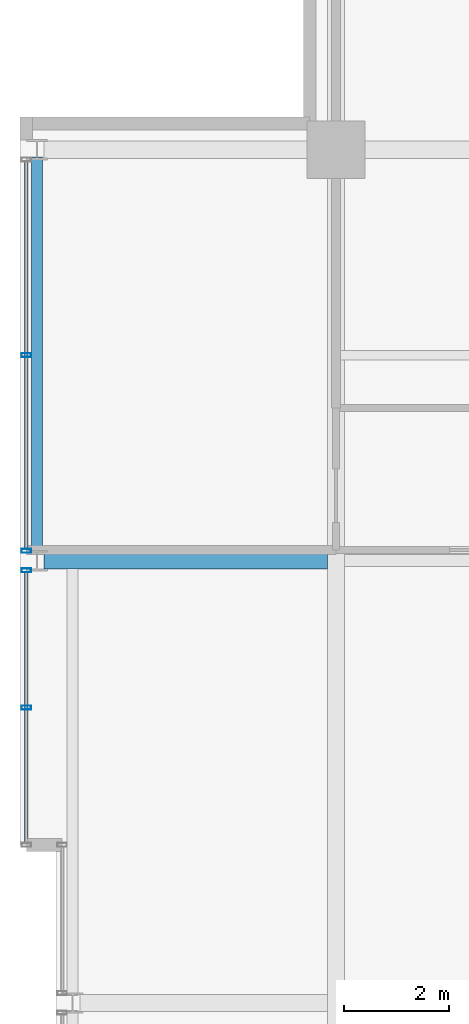
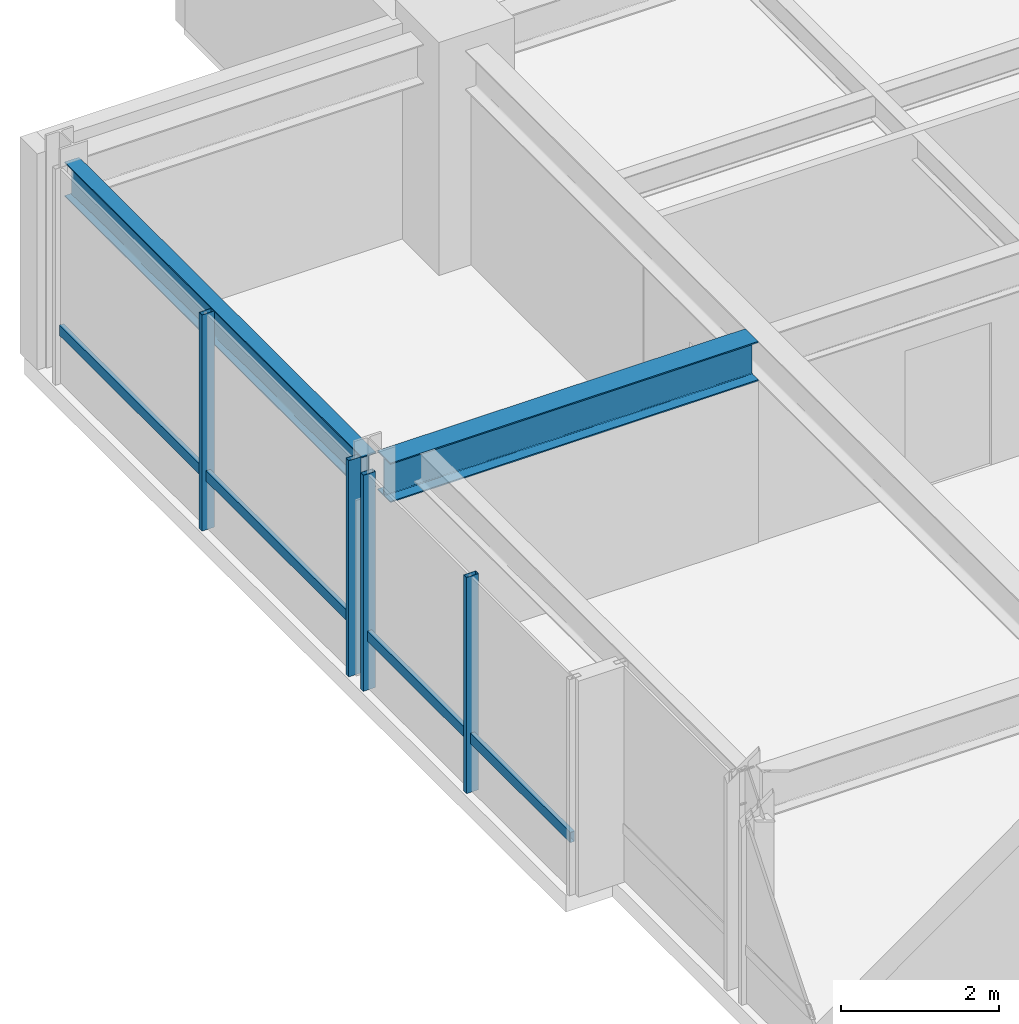
# One storey, part 18 of 32: 6 members, 2 beams, 2 elements without a shape of their own.
"""IFC4 building model written with IfcOpenShell, lengths in metres."""

from ifc_helpers import new_model, si_unit, direction, frame, origin, origin_2d, place, context, subcontext, project, spatial, hollow_rectangle, i_section, extrude, material, layer, layer_set, material_profile, profile_set, type_object, element, aggregate, save


model = new_model("IFC4")

# Units and contexts
model_context = context("Model", 3, precision=1e-05, world=origin(), true_north=direction((0.0, 1.0)))
body_context = subcontext(model_context, "Body", "Model", "MODEL_VIEW")
ifc_project = project(units=[si_unit("LENGTHUNIT", "METRE"), si_unit("AREAUNIT", "SQUARE_METRE"), si_unit("VOLUMEUNIT", "CUBIC_METRE"), si_unit("PLANEANGLEUNIT", "RADIAN"), si_unit("MASSUNIT", "GRAM", prefix="KILO")], contexts=[model_context])

# Site, building, storey
site_placement = place(None, origin())
site = spatial("IfcSite", under=ifc_project, at=site_placement, CompositionType="ELEMENT")
building_placement = place(site_placement, origin())
building = spatial("IfcBuilding", under=site, at=building_placement, Name="Drelvath Grand Hotel", CompositionType="ELEMENT")
storey_placement = place(building_placement, frame((0.0, 0.0, 223.10009765625)))
storey = spatial("IfcBuildingStorey", under=building, at=storey_placement, Name="L58", CompositionType="ELEMENT", Elevation=223.10009765625)

# Curtain wall, member
ifc_material_1 = material(Name="Platinum-Mist Anodised Aluminium Frame", Category="aluminium")
ifc_layer = layer(ifc_material_1, 0.199951171875)
ifc_layer_set = layer_set([ifc_layer], Name="Platinum-Mist Anodised Aluminium Frame")
curtain_wall_type = type_object("IfcCurtainWallType", Name="Stick Curtain Wall CW-05 Platinum Mist High-Rise", PredefinedType="NOTDEFINED", material=ifc_layer_set)
curtain_wall_1_placement = place(storey_placement, origin())
curtain_wall_1 = element("IfcCurtainWall", 1, at=curtain_wall_1_placement, inside=storey, type_object=curtain_wall_type, Name="L58 CW-05 Curtain Wall CW05-L58-WN1", PredefinedType="NOTDEFINED")
ifc_material_profile_1 = material_profile(ifc_material_1, hollow_rectangle(XDim=0.06494140625, YDim=0.159912109375, WallThickness=0.00390625, at=origin_2d()), Name="HSS160X65X4")
ifc_profile_set_1 = profile_set([ifc_material_profile_1], Name="Platinum-Mist Anodised Aluminium Frame")
member_type_1 = type_object("IfcMemberType", Name="Curtain Wall Horizontal Transom CW-05 HSS160X65X4", PredefinedType="USERDEFINED", material=ifc_profile_set_1)
member_1_placement = place(storey_placement, frame((-22.080078125, 30.0400390625, 0.8349609375), z_axis=(0.0, 1.0, 0.0), x_axis=(-1.0, 0.0, 0.0)))
member_1 = element("IfcMember", 2, at=member_1_placement, type_object=member_type_1, Name="CW05-L58-WN1 Sill Transom", ObjectType="TRANSOM", PredefinedType="USERDEFINED", context=body_context, shape_type="SweptSolid", body=[
    extrude(hollow_rectangle(XDim=0.06494140625, YDim=0.159912109375, WallThickness=0.00390625, at=origin_2d()), origin(), (0.0, 0.0, 1.0), 5.134765625),
])

curtain_wall_2_placement = place(storey_placement, origin())
curtain_wall_2 = element("IfcCurtainWall", 3, at=curtain_wall_2_placement, inside=storey, type_object=curtain_wall_type, Name="L58 CW-05 Curtain Wall CW05-L58-WN2", PredefinedType="NOTDEFINED")
member_2_placement = place(storey_placement, frame((-22.080078125, 35.625244140625, 0.8349609375), z_axis=(0.0, 1.0, 0.0), x_axis=(-1.0, 0.0, 0.0)))
member_2 = element("IfcMember", 4, at=member_2_placement, type_object=member_type_1, Name="CW05-L58-WN2 Sill Transom", ObjectType="TRANSOM", PredefinedType="USERDEFINED", context=body_context, shape_type="SweptSolid", body=[
    extrude(hollow_rectangle(XDim=0.06494140625, YDim=0.159912109375, WallThickness=0.00390625, at=origin_2d()), origin(), (0.0, 0.0, 1.0), 7.349365234375),
])

# Member
ifc_material_profile_2 = material_profile(ifc_material_1, hollow_rectangle(XDim=0.074951171875, YDim=0.179931640625, WallThickness=0.0048828125, at=origin_2d()), Name="HSS180X75X5")
ifc_profile_set_2 = profile_set([ifc_material_profile_2], Name="Platinum-Mist Anodised Aluminium Frame")
member_type_2 = type_object("IfcMemberType", Name="Curtain Wall Vertical Mullion CW-05 HSS180X75X5", PredefinedType="MULLION", material=ifc_profile_set_2)
member_3_placement = place(storey_placement, frame((-22.080078125, 32.607421875, 0.0), z_axis=(0.0, 0.0, 1.0), x_axis=(0.0, 1.0, 0.0)))
member_3 = element("IfcMember", 5, at=member_3_placement, type_object=member_type_2, Name="CW05-L58-WN1 Mullion 2", PredefinedType="MULLION", context=body_context, shape_type="SweptSolid", body=[
    extrude(hollow_rectangle(XDim=0.074951171875, YDim=0.179931640625, WallThickness=0.0048828125, at=origin_2d()), origin(), (0.0, 0.0, 1.0), 3.33984375),
])

member_4_placement = place(storey_placement, frame((-22.080078125, 35.214599609375, 0.0), z_axis=(0.0, 0.0, 1.0), x_axis=(0.0, 1.0, 0.0)))
member_4 = element("IfcMember", 6, at=member_4_placement, type_object=member_type_2, Name="CW05-L58-WN1 Mullion 3", PredefinedType="MULLION", context=body_context, shape_type="SweptSolid", body=[
    extrude(hollow_rectangle(XDim=0.074951171875, YDim=0.179931640625, WallThickness=0.0048828125, at=origin_2d()), origin(), (0.0, 0.0, 1.0), 3.33984375),
])

aggregate(curtain_wall_1, [member_3, member_4, member_1])

member_5_placement = place(storey_placement, frame((-22.080078125, 35.585205078125, 0.0), z_axis=(0.0, 0.0, 1.0), x_axis=(0.0, 1.0, 0.0)))
member_5 = element("IfcMember", 7, at=member_5_placement, type_object=member_type_2, Name="CW05-L58-WN2 Mullion 1", PredefinedType="MULLION", context=body_context, shape_type="SweptSolid", body=[
    extrude(hollow_rectangle(XDim=0.074951171875, YDim=0.179931640625, WallThickness=0.0048828125, at=origin_2d()), origin(), (0.0, 0.0, 1.0), 3.33984375),
])

member_6_placement = place(storey_placement, frame((-22.080078125, 39.300048828125, 0.0), z_axis=(0.0, 0.0, 1.0), x_axis=(0.0, 1.0, 0.0)))
member_6 = element("IfcMember", 8, at=member_6_placement, type_object=member_type_2, Name="CW05-L58-WN2 Mullion 2", PredefinedType="MULLION", context=body_context, shape_type="SweptSolid", body=[
    extrude(hollow_rectangle(XDim=0.074951171875, YDim=0.179931640625, WallThickness=0.0048828125, at=origin_2d()), origin(), (0.0, 0.0, 1.0), 3.33984375),
])

aggregate(curtain_wall_2, [member_5, member_6, member_2])

# Beams
ifc_material_2 = material(Name="Steel ASTM A992 Gr 50", Category="steel")
ifc_material_profile_3 = material_profile(ifc_material_2, i_section(OverallWidth=0.210205078125, OverallDepth=0.53662109375, WebThickness=0.010986328125, FlangeThickness=0.017333984375, FilletRadius=0.01806640625, at=origin_2d()), Name="W21X68")
ifc_profile_set_3 = profile_set([ifc_material_profile_3], Name="Steel ASTM A992 Gr 50")
beam_type_1 = type_object("IfcBeamType", Name="Perimeter Spandrel Beam W21X68", PredefinedType="SPANDREL", material=ifc_profile_set_3)
beam_1_placement = place(storey_placement, frame((-21.8798828125, 35.5400390625, 3.071533203125), z_axis=(0.0, 1.0, 0.0), x_axis=(-1.0, 0.0, 0.0)))
element("IfcBeam", 9, at=beam_1_placement, inside=storey, type_object=beam_type_1, Name="L58 Spandrel West N", PredefinedType="SPANDREL", context=body_context, shape_type="SweptSolid", body=[
    extrude(i_section(OverallWidth=0.210205078125, OverallDepth=0.53662109375, WebThickness=0.010986328125, FlangeThickness=0.017333984375, FilletRadius=0.01806640625, at=origin_2d()), origin(), (0.0, 0.0, 1.0), 7.52001953125),
])
ifc_material_profile_4 = material_profile(ifc_material_2, i_section(OverallWidth=0.323974609375, OverallDepth=0.611083984375, WebThickness=0.0126953125, FlangeThickness=0.01904296875, FilletRadius=0.02197265625, at=origin_2d()), Name="W24X104")
ifc_profile_set_4 = profile_set([ifc_material_profile_4], Name="Steel ASTM A992 Gr 50")
beam_type_2 = type_object("IfcBeamType", Name="Primary Floor Girder W24X104", PredefinedType="BEAM", material=ifc_profile_set_4)
beam_2_placement = place(storey_placement, frame((-21.739990234375, 35.39990234375, 3.034423828125), z_axis=(1.0, 0.0, 0.0), x_axis=(0.0, 1.0, 0.0)))
element("IfcBeam", 10, at=beam_2_placement, inside=storey, type_object=beam_type_2, Name="L58 West Wing Girder F", PredefinedType="BEAM", context=body_context, shape_type="SweptSolid", body=[
    extrude(i_section(OverallWidth=0.323974609375, OverallDepth=0.611083984375, WebThickness=0.0126953125, FlangeThickness=0.01904296875, FilletRadius=0.02197265625, at=origin_2d()), origin(), (0.0, 0.0, 1.0), 5.3779296875),
])

save(model, "model.ifc")
